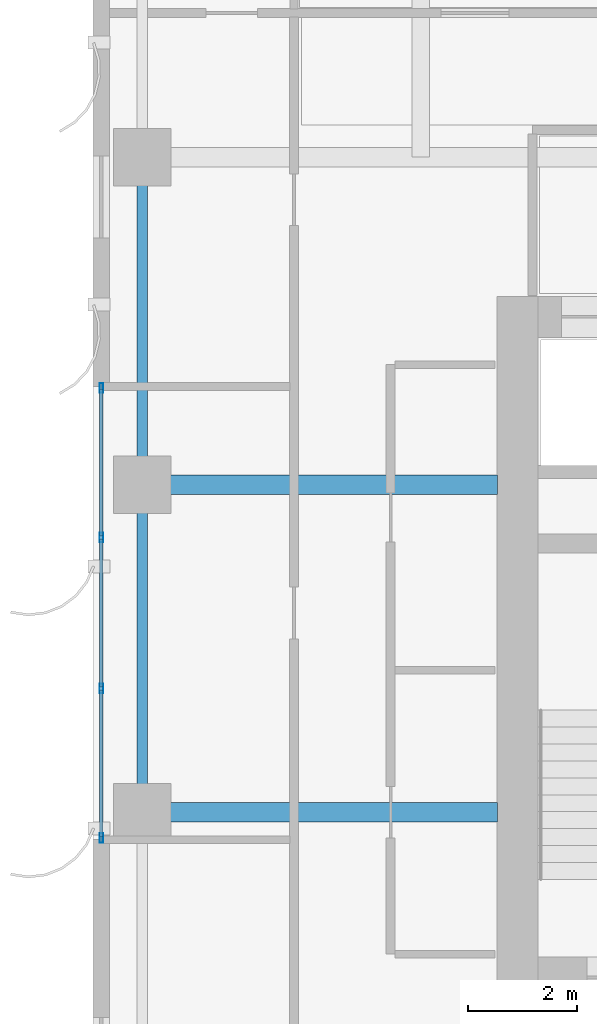
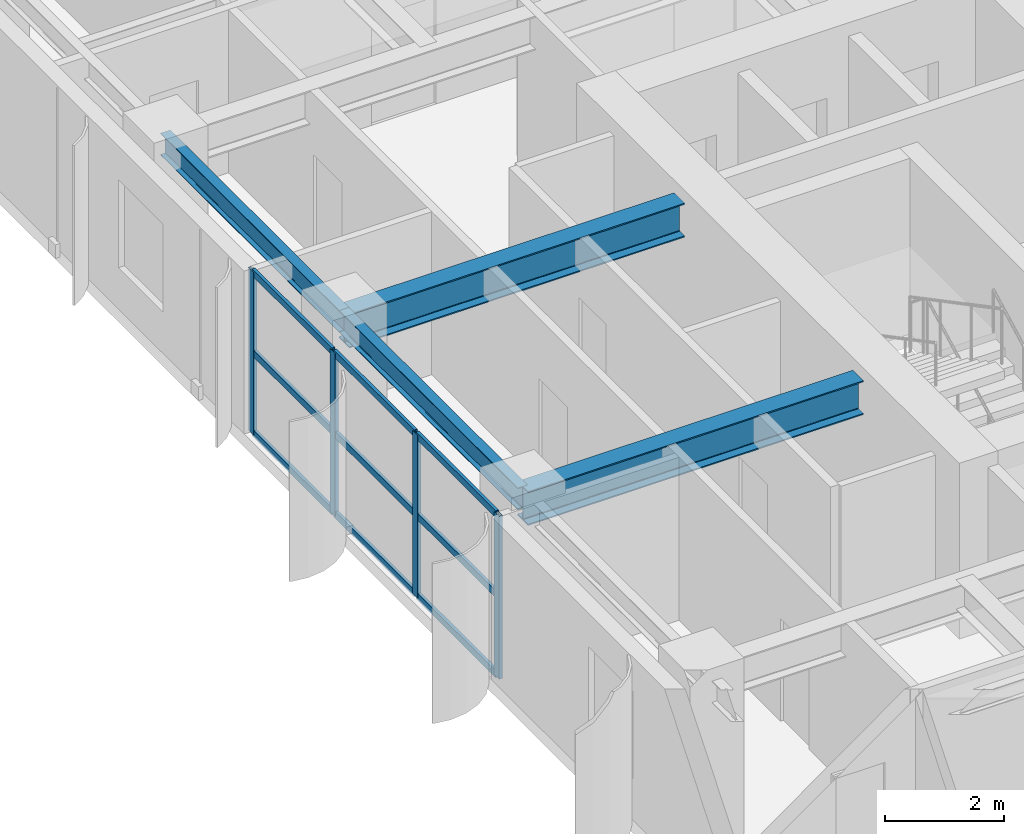
# One storey, part 4 of 22: 13 members, 4 beams, 1 element without a shape of its own.
"""IFC4 building model written with IfcOpenShell, lengths in metres."""

from ifc_helpers import new_model, si_unit, direction, frame, origin, origin_2d, place, context, subcontext, project, spatial, hollow_rectangle, i_section, extrude, source, transform, mapped, material, layer, layer_set, material_profile, profile_set, type_object, element, aggregate, save


model = new_model("IFC4")

# Units and contexts
model_context = context("Model", 3, precision=1e-05, world=origin(), true_north=direction((0.0, 1.0)))
body_context = subcontext(model_context, "Body", "Model", "MODEL_VIEW")
ifc_project = project(units=[si_unit("LENGTHUNIT", "METRE"), si_unit("AREAUNIT", "SQUARE_METRE"), si_unit("VOLUMEUNIT", "CUBIC_METRE"), si_unit("PLANEANGLEUNIT", "RADIAN"), si_unit("MASSUNIT", "GRAM", prefix="KILO")], contexts=[model_context])

# Site, building, storey
site_placement = place(None, origin())
site = spatial("IfcSite", under=ifc_project, at=site_placement, CompositionType="ELEMENT")
building_placement = place(site_placement, origin())
building = spatial("IfcBuilding", under=site, at=building_placement, Name="Khoralis Quay Care Tower", CompositionType="ELEMENT")
storey_placement = place(building_placement, frame((0.0, 0.0, 98.10009765625)))
storey = spatial("IfcBuildingStorey", under=building, at=storey_placement, Name="L25", CompositionType="ELEMENT", Elevation=98.10009765625)

# Beams
ifc_material_1 = material(Name="Steel S355", Category="steel")
ifc_material_profile_1 = material_profile(ifc_material_1, i_section(OverallWidth=0.18994140625, OverallDepth=0.449951171875, WebThickness=0.009521484375, FlangeThickness=0.0146484375, FilletRadius=0.02099609375, at=origin_2d()), Name="Steel S355")
ifc_profile_set_1 = profile_set([ifc_material_profile_1], Name="Steel S355")
beam_type_1 = type_object("IfcBeamType", Name="BM-IPE450", PredefinedType="SPANDREL", material=ifc_profile_set_1)
shared_shape_1 = source(origin(), body_context, "Body", "SweptSolid", [
    extrude(i_section(OverallWidth=0.18994140625, OverallDepth=0.449951171875, WebThickness=0.009521484375, FlangeThickness=0.0146484375, FilletRadius=0.02099609375, at=origin_2d()), origin(), (0.0, 0.0, 1.0), 6.0),
])
for number, where, z_axis, x_axis, name in (
    (1, (0.89990234375, 18.0, 3.114990234375), (0.0, 1.0, 0.0), (-1.0, 0.0, 0.0), "BM-TSP-L25-13"),
    (2, (0.89990234375, 24.0, 3.114990234375), (0.0, 1.0, 0.0), (-1.0, 0.0, 0.0), "BM-TSP-L25-14"),
):
    element("IfcBeam", number, at=place(storey_placement, frame(where, z_axis=z_axis, x_axis=x_axis)), inside=storey, type_object=beam_type_1, Name=name, PredefinedType="SPANDREL", context=body_context, shape_type="MappedRepresentation", body=[
        mapped(shared_shape_1, transform((0.0, 0.0, 0.0), scale=1.0)),
    ])
ifc_material_profile_2 = material_profile(ifc_material_1, i_section(OverallWidth=0.35498046875, OverallDepth=0.695068359375, WebThickness=0.015380859375, FlangeThickness=0.02490234375, FilletRadius=0.02001953125, at=origin_2d()), Name="Steel S355")
ifc_profile_set_2 = profile_set([ifc_material_profile_2], Name="Steel S355")
beam_type_2 = type_object("IfcBeamType", Name="BM-W690X217", PredefinedType="BEAM", material=ifc_profile_set_2)
shared_shape_2 = source(origin(), body_context, "Body", "SweptSolid", [
    extrude(i_section(OverallWidth=0.35498046875, OverallDepth=0.695068359375, WebThickness=0.015380859375, FlangeThickness=0.02490234375, FilletRadius=0.02001953125, at=origin_2d()), origin(), (0.0, 0.0, 1.0), 6.502197265625),
])
for number, where, z_axis, x_axis, name in (
    (3, (0.89990234375, 18.0, 2.992431640625), (1.0, 0.0, 0.0), (0.0, 1.0, 0.0), "BM-TGXW-L25-180"),
    (4, (0.89990234375, 24.0, 2.992431640625), (1.0, 0.0, 0.0), (0.0, 1.0, 0.0), "BM-TGXW-L25-240"),
):
    element("IfcBeam", number, at=place(storey_placement, frame(where, z_axis=z_axis, x_axis=x_axis)), inside=storey, type_object=beam_type_2, Name=name, PredefinedType="BEAM", context=body_context, shape_type="MappedRepresentation", body=[
        mapped(shared_shape_2, transform((0.0, 0.0, 0.0), scale=1.0)),
    ])

# Curtain wall, members
ifc_material_2 = material(Name="Pale anodised aluminium", Category="aluminium")
ifc_layer = layer(ifc_material_2, 0.169921875)
ifc_layer_set = layer_set([ifc_layer], Name="Pale anodised aluminium")
curtain_wall_type = type_object("IfcCurtainWallType", Name="CW-SYS-Z2", PredefinedType="NOTDEFINED", material=ifc_layer_set)
curtain_wall_placement = place(storey_placement, origin())
curtain_wall = element("IfcCurtainWall", 5, at=curtain_wall_placement, inside=storey, type_object=curtain_wall_type, Name="L25 Unitised Curtain Wall CW-L25-P1-E15", PredefinedType="NOTDEFINED")
ifc_material_profile_3 = material_profile(ifc_material_2, hollow_rectangle(XDim=0.06005859375, YDim=0.139892578125, WallThickness=0.00390625, at=origin_2d()), Name="Pale anodised aluminium")
ifc_profile_set_3 = profile_set([ifc_material_profile_3], Name="Pale anodised aluminium")
member_type_1 = type_object("IfcMemberType", Name="CW-TRN-140", PredefinedType="USERDEFINED", material=ifc_profile_set_3)
shared_shape_3 = source(origin(), body_context, "Body", "SweptSolid", [
    extrude(hollow_rectangle(XDim=0.06005859375, YDim=0.139892578125, WallThickness=0.00390625, at=origin_2d()), origin(), (0.0, 0.0, 1.0), 2.6767578125),
])
member_1_placement = place(storey_placement, frame((0.14990234375, 25.739990234375, 0.02978515625), z_axis=(0.0, -1.0, 0.0), x_axis=(1.0, 0.0, 0.0)))
member_1 = element("IfcMember", 6, at=member_1_placement, type_object=member_type_1, Name="CW2 transom 1.1", ObjectType="TRANSOM", PredefinedType="USERDEFINED", context=body_context, shape_type="MappedRepresentation", body=[
    mapped(shared_shape_3, transform((0.0, 0.0, 0.0), scale=1.0)),
])
member_2_placement = place(storey_placement, frame((0.14990234375, 25.739990234375, 1.669921875), z_axis=(0.0, -1.0, 0.0), x_axis=(1.0, 0.0, 0.0)))
member_2 = element("IfcMember", 7, at=member_2_placement, type_object=member_type_1, Name="CW2 transom 1.2", ObjectType="TRANSOM", PredefinedType="USERDEFINED", context=body_context, shape_type="MappedRepresentation", body=[
    mapped(shared_shape_3, transform((0.0, 0.0, 0.0), scale=1.0)),
])
member_3_placement = place(storey_placement, frame((0.14990234375, 25.739990234375, 3.309814453125), z_axis=(0.0, -1.0, 0.0), x_axis=(1.0, 0.0, 0.0)))
member_3 = element("IfcMember", 8, at=member_3_placement, type_object=member_type_1, Name="CW2 transom 1.3", ObjectType="TRANSOM", PredefinedType="USERDEFINED", context=body_context, shape_type="MappedRepresentation", body=[
    mapped(shared_shape_3, transform((0.0, 0.0, 0.0), scale=1.0)),
])
shared_shape_4 = source(origin(), body_context, "Body", "SweptSolid", [
    extrude(hollow_rectangle(XDim=0.06005859375, YDim=0.139892578125, WallThickness=0.00390625, at=origin_2d()), origin(), (0.0, 0.0, 1.0), 2.676513671875),
])
member_4_placement = place(storey_placement, frame((0.14990234375, 20.236572265625, 0.02978515625), z_axis=(0.0, -1.0, 0.0), x_axis=(1.0, 0.0, 0.0)))
member_4 = element("IfcMember", 9, at=member_4_placement, type_object=member_type_1, Name="CW2 transom 3.1", ObjectType="TRANSOM", PredefinedType="USERDEFINED", context=body_context, shape_type="MappedRepresentation", body=[
    mapped(shared_shape_4, transform((0.0, 0.0, 0.0), scale=1.0)),
])
member_5_placement = place(storey_placement, frame((0.14990234375, 20.236572265625, 1.669921875), z_axis=(0.0, -1.0, 0.0), x_axis=(1.0, 0.0, 0.0)))
member_5 = element("IfcMember", 10, at=member_5_placement, type_object=member_type_1, Name="CW2 transom 3.2", ObjectType="TRANSOM", PredefinedType="USERDEFINED", context=body_context, shape_type="MappedRepresentation", body=[
    mapped(shared_shape_4, transform((0.0, 0.0, 0.0), scale=1.0)),
])
member_6_placement = place(storey_placement, frame((0.14990234375, 20.236572265625, 3.309814453125), z_axis=(0.0, -1.0, 0.0), x_axis=(1.0, 0.0, 0.0)))
member_6 = element("IfcMember", 11, at=member_6_placement, type_object=member_type_1, Name="CW2 transom 3.3", ObjectType="TRANSOM", PredefinedType="USERDEFINED", context=body_context, shape_type="MappedRepresentation", body=[
    mapped(shared_shape_4, transform((0.0, 0.0, 0.0), scale=1.0)),
])
ifc_material_profile_4 = material_profile(ifc_material_2, hollow_rectangle(XDim=0.06494140625, YDim=0.179931640625, WallThickness=0.00390625, at=origin_2d()), Name="Pale anodised aluminium")
ifc_profile_set_4 = profile_set([ifc_material_profile_4], Name="Pale anodised aluminium")
member_type_2 = type_object("IfcMemberType", Name="CW-MUL-180", PredefinedType="MULLION", material=ifc_profile_set_4)
shared_shape_5 = source(origin(), body_context, "Body", "SweptSolid", [
    extrude(hollow_rectangle(XDim=0.06494140625, YDim=0.179931640625, WallThickness=0.00390625, at=origin_2d()), origin(), (0.0, 0.0, 1.0), 3.33984375),
])
member_7_placement = place(storey_placement, frame((0.14990234375, 25.77001953125, 0.0), z_axis=(0.0, 0.0, 1.0), x_axis=(1.0, 0.0, 0.0)))
member_7 = element("IfcMember", 12, at=member_7_placement, type_object=member_type_2, Name="CW2 mullion 1", PredefinedType="MULLION", context=body_context, shape_type="MappedRepresentation", body=[
    mapped(shared_shape_5, transform((0.0, 0.0, 0.0), scale=1.0)),
])
member_8_placement = place(storey_placement, frame((0.14990234375, 23.033447265625, 0.0), z_axis=(0.0, 0.0, 1.0), x_axis=(1.0, 0.0, 0.0)))
member_8 = element("IfcMember", 13, at=member_8_placement, type_object=member_type_2, Name="CW2 mullion 2", PredefinedType="MULLION", context=body_context, shape_type="MappedRepresentation", body=[
    mapped(shared_shape_5, transform((0.0, 0.0, 0.0), scale=1.0)),
])
member_9_placement = place(storey_placement, frame((0.14990234375, 20.2666015625, 0.0), z_axis=(0.0, 0.0, 1.0), x_axis=(1.0, 0.0, 0.0)))
member_9 = element("IfcMember", 14, at=member_9_placement, type_object=member_type_2, Name="CW2 mullion 3", PredefinedType="MULLION", context=body_context, shape_type="MappedRepresentation", body=[
    mapped(shared_shape_5, transform((0.0, 0.0, 0.0), scale=1.0)),
])
member_10_placement = place(storey_placement, frame((0.14990234375, 17.530029296875, 0.0), z_axis=(0.0, 0.0, 1.0), x_axis=(1.0, 0.0, 0.0)))
member_10 = element("IfcMember", 15, at=member_10_placement, type_object=member_type_2, Name="CW2 mullion 4", PredefinedType="MULLION", context=body_context, shape_type="MappedRepresentation", body=[
    mapped(shared_shape_5, transform((0.0, 0.0, 0.0), scale=1.0)),
])
shared_shape_6 = source(origin(), body_context, "Body", "SweptSolid", [
    extrude(hollow_rectangle(XDim=0.06005859375, YDim=0.139892578125, WallThickness=0.00390625, at=origin_2d()), origin(), (0.0, 0.0, 1.0), 2.706787109375),
])
member_11_placement = place(storey_placement, frame((0.14990234375, 23.00341796875, 0.02978515625), z_axis=(0.0, -1.0, 0.0), x_axis=(1.0, 0.0, 0.0)))
member_11 = element("IfcMember", 16, at=member_11_placement, type_object=member_type_1, Name="CW2 transom 2.1", ObjectType="TRANSOM", PredefinedType="USERDEFINED", context=body_context, shape_type="MappedRepresentation", body=[
    mapped(shared_shape_6, transform((0.0, 0.0, 0.0), scale=1.0)),
])
member_12_placement = place(storey_placement, frame((0.14990234375, 23.00341796875, 1.669921875), z_axis=(0.0, -1.0, 0.0), x_axis=(1.0, 0.0, 0.0)))
member_12 = element("IfcMember", 17, at=member_12_placement, type_object=member_type_1, Name="CW2 transom 2.2", ObjectType="TRANSOM", PredefinedType="USERDEFINED", context=body_context, shape_type="MappedRepresentation", body=[
    mapped(shared_shape_6, transform((0.0, 0.0, 0.0), scale=1.0)),
])
member_13_placement = place(storey_placement, frame((0.14990234375, 23.00341796875, 3.309814453125), z_axis=(0.0, -1.0, 0.0), x_axis=(1.0, 0.0, 0.0)))
member_13 = element("IfcMember", 18, at=member_13_placement, type_object=member_type_1, Name="CW2 transom 2.3", ObjectType="TRANSOM", PredefinedType="USERDEFINED", context=body_context, shape_type="MappedRepresentation", body=[
    mapped(shared_shape_6, transform((0.0, 0.0, 0.0), scale=1.0)),
])
aggregate(curtain_wall, [member_7, member_8, member_9, member_10, member_1, member_2, member_3, member_11, member_12, member_13, member_4, member_5, member_6])

save(model, "model.ifc")
